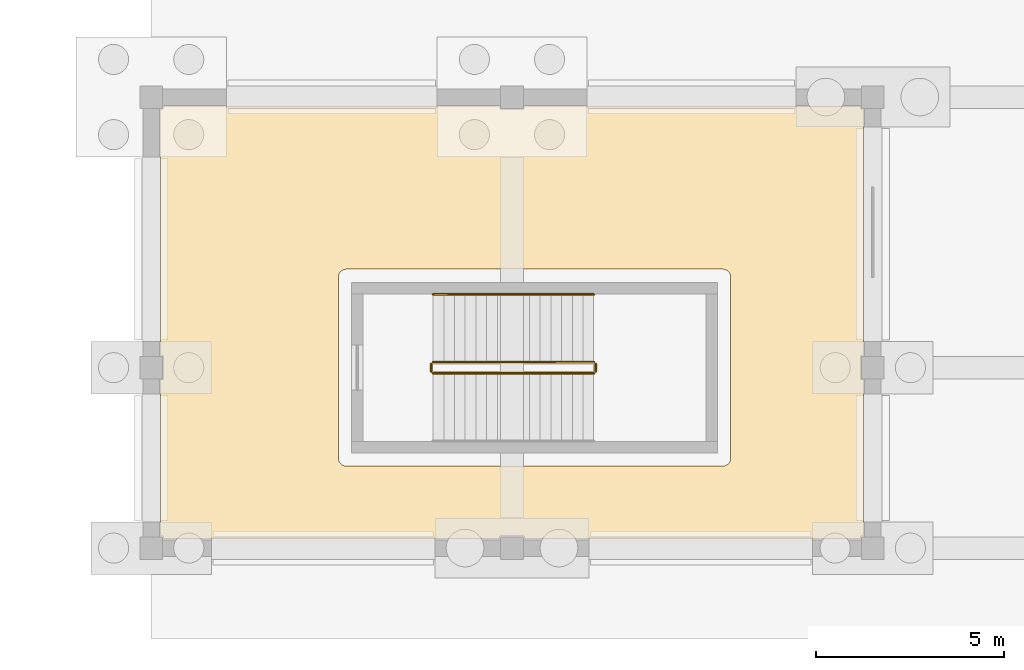
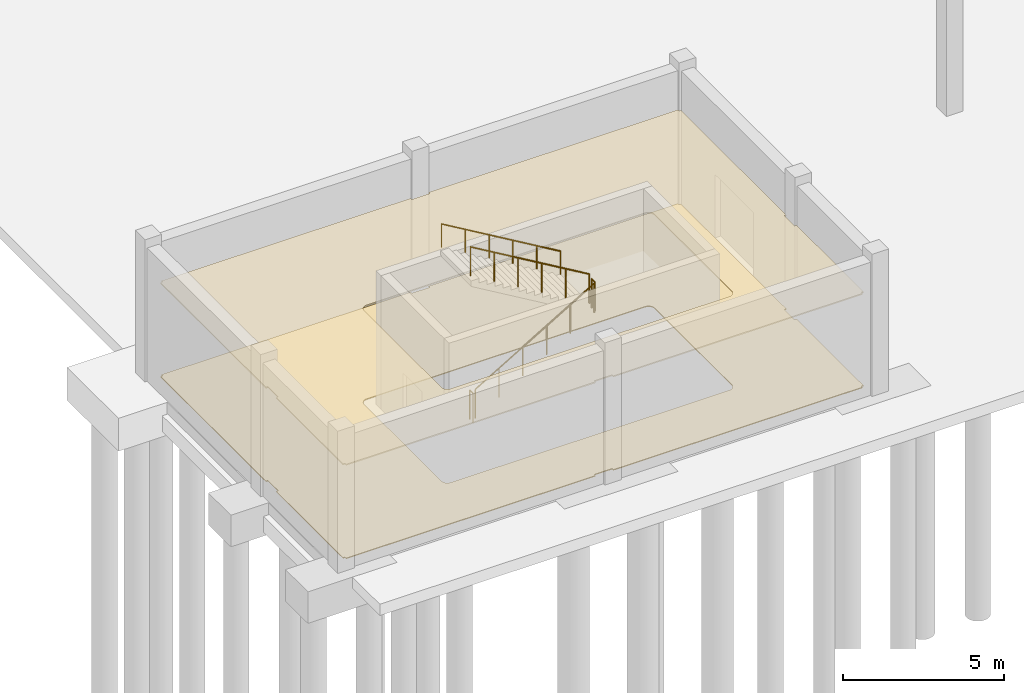
# One storey, part 34 of 41: 5 railings, 2 coverings.
"""IFC4 building model written with IfcOpenShell, lengths in metres."""

from ifc_helpers import new_model, si_unit, direction, frame, origin, origin_2d, place, context, subcontext, project, spatial, polyline, circle, outline, extrude, material, layer, layer_set, type_object, element, save


model = new_model("IFC4")

# Units and contexts
model_context = context("Model", 3, precision=1e-05, world=origin(), true_north=direction((0.0, 1.0)))
body_context = subcontext(model_context, "Body", "Model", "MODEL_VIEW")
ifc_project = project(units=[si_unit("LENGTHUNIT", "METRE"), si_unit("AREAUNIT", "SQUARE_METRE"), si_unit("VOLUMEUNIT", "CUBIC_METRE"), si_unit("PLANEANGLEUNIT", "RADIAN"), si_unit("MASSUNIT", "GRAM", prefix="KILO")], contexts=[model_context])

# Site, building, storey
site_placement = place(None, origin())
site = spatial("IfcSite", under=ifc_project, at=site_placement, CompositionType="ELEMENT")
building_placement = place(site_placement, origin())
building = spatial("IfcBuilding", under=site, at=building_placement, Name="Shalvenor Court Art Gallery", CompositionType="ELEMENT")
storey_placement = place(building_placement, frame((0.0, 0.0, -5.39990234375)))
storey = spatial("IfcBuildingStorey", under=building, at=storey_placement, Name="B01", CompositionType="ELEMENT", Elevation=-5.39990234375)

# Coverings
ifc_material_1 = material(Name="Acoustic hinoki timber slat ceiling", Category="wood")
ifc_layer_1 = layer(ifc_material_1, 0.054931640625, Name="Acoustic hinoki timber slat ceiling")
ifc_layer_set_1 = layer_set([ifc_layer_1], Name="Acoustic hinoki timber slat ceiling")
covering_type_1 = type_object("IfcCoveringType", Name="CLG-02", PredefinedType="CEILING", material=ifc_layer_set_1)
covering_1_placement = place(storey_placement, frame((0.0, 0.0, 3.5498046875)))
element("IfcCovering", 1, at=covering_1_placement, inside=storey, type_object=covering_type_1, Name="B01 Metro Concourse Threshold Hall Acoustic Ceiling", PredefinedType="CEILING", context=body_context, shape_type="SweptSolid", body=[
    extrude(outline(polyline([(57.280029296875, 57.35009765625), (57.280029296875, 57.280029296875), (57.919921875, 57.280029296875), (57.919921875, 57.35009765625), (66.8798828125, 57.35009765625), (66.8798828125, 57.280029296875), (66.949951171875, 57.280029296875), (66.949951171875, 50.719970703125), (66.8798828125, 50.719970703125), (66.8798828125, 50.080078125), (66.949951171875, 50.080078125), (66.949951171875, 45.919921875), (66.8798828125, 45.919921875), (66.8798828125, 45.85009765625), (57.919921875, 45.85009765625), (57.919921875, 45.919921875), (57.280029296875, 45.919921875), (57.280029296875, 45.85009765625), (48.320068359375, 45.85009765625), (48.320068359375, 45.919921875), (48.25, 45.919921875), (48.25, 50.080078125), (48.320068359375, 50.080078125), (48.320068359375, 50.719970703125), (48.25, 50.719970703125), (48.25, 57.280029296875), (48.320068359375, 57.280029296875), (48.320068359375, 57.35009765625), (57.280029296875, 57.35009765625)]), holes=[polyline([(53.199951171875, 47.780029296875), (63.199951171875, 47.780029296875), (63.2216796875, 47.781005859375), (63.242919921875, 47.7841796875), (63.263916015625, 47.78955078125), (63.2841796875, 47.796630859375), (63.3037109375, 47.805908203125), (63.322265625, 47.817138671875), (63.339599609375, 47.829833984375), (63.355712890625, 47.844482421875), (63.3701171875, 47.8603515625), (63.3828125, 47.877685546875), (63.39404296875, 47.896240234375), (63.4033203125, 47.915771484375), (63.410400390625, 47.93603515625), (63.415771484375, 47.95703125), (63.4189453125, 47.978515625), (63.419921875, 48.0), (63.419921875, 52.800048828125), (63.4189453125, 52.821533203125), (63.415771484375, 52.843017578125), (63.410400390625, 52.864013671875), (63.4033203125, 52.88427734375), (63.39404296875, 52.90380859375), (63.3828125, 52.922119140625), (63.3701171875, 52.939697265625), (63.355712890625, 52.95556640625), (63.339599609375, 52.97021484375), (63.322265625, 52.98291015625), (63.3037109375, 52.993896484375), (63.2841796875, 53.00341796875), (63.263916015625, 53.010498046875), (63.242919921875, 53.015869140625), (63.2216796875, 53.018798828125), (63.199951171875, 53.02001953125), (53.199951171875, 53.02001953125), (53.178466796875, 53.018798828125), (53.156982421875, 53.015869140625), (53.135986328125, 53.010498046875), (53.11572265625, 53.00341796875), (53.09619140625, 52.993896484375), (53.077880859375, 52.98291015625), (53.060302734375, 52.97021484375), (53.04443359375, 52.95556640625), (53.02978515625, 52.939697265625), (53.01708984375, 52.922119140625), (53.006103515625, 52.90380859375), (52.99658203125, 52.88427734375), (52.989501953125, 52.864013671875), (52.984130859375, 52.843017578125), (52.981201171875, 52.821533203125), (52.97998046875, 52.800048828125), (52.97998046875, 48.0), (52.981201171875, 47.978515625), (52.984130859375, 47.95703125), (52.989501953125, 47.93603515625), (52.99658203125, 47.915771484375), (53.006103515625, 47.896240234375), (53.01708984375, 47.877685546875), (53.02978515625, 47.8603515625), (53.04443359375, 47.844482421875), (53.060302734375, 47.829833984375), (53.077880859375, 47.817138671875), (53.09619140625, 47.805908203125), (53.11572265625, 47.796630859375), (53.135986328125, 47.78955078125), (53.156982421875, 47.7841796875), (53.178466796875, 47.781005859375), (53.199951171875, 47.780029296875)])]), origin(), (0.0, 0.0, 1.0), 0.045166015625),
])
ifc_material_2 = material(Name="Honed pale limestone terrazzo flooring", Category="masonry")
ifc_layer_2 = layer(ifc_material_2, 0.0400390625, Name="Honed pale limestone terrazzo flooring")
ifc_layer_set_2 = layer_set([ifc_layer_2], Name="Honed pale limestone terrazzo flooring")
covering_type_2 = type_object("IfcCoveringType", Name="FLR-01", PredefinedType="FLOORING", material=ifc_layer_set_2)
covering_2_placement = place(storey_placement, origin())
element("IfcCovering", 2, at=covering_2_placement, inside=storey, type_object=covering_type_2, Name="B01 Metro Concourse Threshold Hall Flooring", PredefinedType="FLOORING", context=body_context, shape_type="SweptSolid", body=[
    extrude(outline(polyline([(57.280029296875, 57.35009765625), (57.280029296875, 57.280029296875), (57.919921875, 57.280029296875), (57.919921875, 57.35009765625), (66.8798828125, 57.35009765625), (66.8798828125, 57.280029296875), (66.949951171875, 57.280029296875), (66.949951171875, 50.719970703125), (66.8798828125, 50.719970703125), (66.8798828125, 50.080078125), (66.949951171875, 50.080078125), (66.949951171875, 45.919921875), (66.8798828125, 45.919921875), (66.8798828125, 45.85009765625), (57.919921875, 45.85009765625), (57.919921875, 45.919921875), (57.280029296875, 45.919921875), (57.280029296875, 45.85009765625), (48.320068359375, 45.85009765625), (48.320068359375, 45.919921875), (48.25, 45.919921875), (48.25, 50.080078125), (48.320068359375, 50.080078125), (48.320068359375, 50.719970703125), (48.25, 50.719970703125), (48.25, 57.280029296875), (48.320068359375, 57.280029296875), (48.320068359375, 57.35009765625), (57.280029296875, 57.35009765625)]), holes=[polyline([(53.199951171875, 47.780029296875), (63.199951171875, 47.780029296875), (63.2216796875, 47.781005859375), (63.242919921875, 47.7841796875), (63.263916015625, 47.78955078125), (63.2841796875, 47.796630859375), (63.3037109375, 47.805908203125), (63.322265625, 47.817138671875), (63.339599609375, 47.829833984375), (63.355712890625, 47.844482421875), (63.3701171875, 47.8603515625), (63.3828125, 47.877685546875), (63.39404296875, 47.896240234375), (63.4033203125, 47.915771484375), (63.410400390625, 47.93603515625), (63.415771484375, 47.95703125), (63.4189453125, 47.978515625), (63.419921875, 48.0), (63.419921875, 52.800048828125), (63.4189453125, 52.821533203125), (63.415771484375, 52.843017578125), (63.410400390625, 52.864013671875), (63.4033203125, 52.88427734375), (63.39404296875, 52.90380859375), (63.3828125, 52.922119140625), (63.3701171875, 52.939697265625), (63.355712890625, 52.95556640625), (63.339599609375, 52.97021484375), (63.322265625, 52.98291015625), (63.3037109375, 52.993896484375), (63.2841796875, 53.00341796875), (63.263916015625, 53.010498046875), (63.242919921875, 53.015869140625), (63.2216796875, 53.018798828125), (63.199951171875, 53.02001953125), (53.199951171875, 53.02001953125), (53.178466796875, 53.018798828125), (53.156982421875, 53.015869140625), (53.135986328125, 53.010498046875), (53.11572265625, 53.00341796875), (53.09619140625, 52.993896484375), (53.077880859375, 52.98291015625), (53.060302734375, 52.97021484375), (53.04443359375, 52.95556640625), (53.02978515625, 52.939697265625), (53.01708984375, 52.922119140625), (53.006103515625, 52.90380859375), (52.99658203125, 52.88427734375), (52.989501953125, 52.864013671875), (52.984130859375, 52.843017578125), (52.981201171875, 52.821533203125), (52.97998046875, 52.800048828125), (52.97998046875, 48.0), (52.981201171875, 47.978515625), (52.984130859375, 47.95703125), (52.989501953125, 47.93603515625), (52.99658203125, 47.915771484375), (53.006103515625, 47.896240234375), (53.01708984375, 47.877685546875), (53.02978515625, 47.8603515625), (53.04443359375, 47.844482421875), (53.060302734375, 47.829833984375), (53.077880859375, 47.817138671875), (53.09619140625, 47.805908203125), (53.11572265625, 47.796630859375), (53.135986328125, 47.78955078125), (53.156982421875, 47.7841796875), (53.178466796875, 47.781005859375), (53.199951171875, 47.780029296875)])]), origin(), (0.0, 0.0, 1.0), 0.031982421875),
])

# Railings
ifc_material_3 = material(Name="Painted steel post-and-rail guard", Category="steel")
railing_type_1 = type_object("IfcRailingType", Name="GR-02", PredefinedType="GUARDRAIL", material=ifc_material_3)
railing_1_placement = place(storey_placement, frame((55.5, 50.25, 0.168701171875)))
element("IfcRailing", 3, at=railing_1_placement, inside=storey, type_object=railing_type_1, Name="B01 ST-10 Stair Guard 1", PredefinedType="GUARDRAIL", context=body_context, shape_type="SweptSolid", body=[
    extrude(circle(Radius=0.02392578125, at=origin_2d()), frame((0.0, 0.0, 1.09619140625), z_axis=(0.860470286479, 0.0, 0.509500624227), x_axis=(0.0, 1.0, 0.0)), (0.0, 0.0, 1.0), 4.968017578125),
    extrude(circle(Radius=0.02099609375, at=origin_2d()), origin(), (0.0, 0.0, 1.0), 1.072021484375),
    extrude(circle(Radius=0.02099609375, at=origin_2d()), frame((0.85498046875, 0.0, 0.50634765625)), (0.0, 0.0, 1.0), 1.072021484375),
    extrude(circle(Radius=0.02099609375, at=origin_2d()), frame((1.7099609375, 0.0, 1.012451171875)), (0.0, 0.0, 1.0), 1.072021484375),
    extrude(circle(Radius=0.02099609375, at=origin_2d()), frame((2.56494140625, 0.0, 1.518798828125)), (0.0, 0.0, 1.0), 1.072021484375),
    extrude(circle(Radius=0.02099609375, at=origin_2d()), frame((3.419921875, 0.0, 2.02490234375)), (0.0, 0.0, 1.0), 1.072021484375),
    extrude(circle(Radius=0.02099609375, at=origin_2d()), frame((4.27490234375, 0.0, 2.53125)), (0.0, 0.0, 1.0), 1.072021484375),
])
railing_2_placement = place(storey_placement, frame((59.824951171875, 50.300048828125, 2.699951171875)))
element("IfcRailing", 4, at=railing_2_placement, inside=storey, type_object=railing_type_1, Name="B01 ST-10 Stair Guard 2", PredefinedType="GUARDRAIL", context=body_context, shape_type="SweptSolid", body=[
    extrude(circle(Radius=0.02392578125, at=origin_2d()), frame((0.0, 0.0, 1.09619140625), z_axis=(0.0, 1.0, 0.0), x_axis=(-1.0, 0.0, 0.0)), (0.0, 0.0, 1.0), 0.199951171875),
    extrude(circle(Radius=0.02099609375, at=origin_2d()), origin(), (0.0, 0.0, 1.0), 1.072021484375),
    extrude(circle(Radius=0.02099609375, at=origin_2d()), frame((0.0, 0.199951171875, 0.0)), (0.0, 0.0, 1.0), 1.072021484375),
])
railing_3_placement = place(storey_placement, frame((59.77490234375, 50.550048828125, 2.86865234375)))
element("IfcRailing", 5, at=railing_3_placement, inside=storey, type_object=railing_type_1, Name="B01 ST-10 Stair Guard 3", PredefinedType="GUARDRAIL", context=body_context, shape_type="SweptSolid", body=[
    extrude(circle(Radius=0.02392578125, at=origin_2d()), frame((0.0, 0.0, 1.09619140625), z_axis=(-0.860470286479, 0.0, 0.509500624227), x_axis=(0.0, -1.0, 0.0)), (0.0, 0.0, 1.0), 4.968017578125),
    extrude(circle(Radius=0.02099609375, at=origin_2d()), origin(), (0.0, 0.0, 1.0), 1.072021484375),
    extrude(circle(Radius=0.02099609375, at=origin_2d()), frame((-0.85498046875, 0.0, 0.50634765625)), (0.0, 0.0, 1.0), 1.072021484375),
    extrude(circle(Radius=0.02099609375, at=origin_2d()), frame((-1.7099609375, 0.0, 1.012451171875)), (0.0, 0.0, 1.0), 1.072021484375),
    extrude(circle(Radius=0.02099609375, at=origin_2d()), frame((-2.56494140625, 0.0, 1.518798828125)), (0.0, 0.0, 1.0), 1.072021484375),
    extrude(circle(Radius=0.02099609375, at=origin_2d()), frame((-3.419921875, 0.0, 2.02490234375)), (0.0, 0.0, 1.0), 1.072021484375),
    extrude(circle(Radius=0.02099609375, at=origin_2d()), frame((-4.27490234375, 0.0, 2.53125)), (0.0, 0.0, 1.0), 1.072021484375),
])
railing_4_placement = place(storey_placement, frame((55.449951171875, 50.300048828125, 0.0)))
element("IfcRailing", 6, at=railing_4_placement, inside=storey, type_object=railing_type_1, Name="B01 ST-10 Stair Guard 4", PredefinedType="GUARDRAIL", context=body_context, shape_type="SweptSolid", body=[
    extrude(circle(Radius=0.02392578125, at=origin_2d()), frame((0.0, 0.0, 1.09619140625), z_axis=(0.0, 1.0, 0.0), x_axis=(-1.0, 0.0, 0.0)), (0.0, 0.0, 1.0), 0.199951171875),
    extrude(circle(Radius=0.02099609375, at=origin_2d()), origin(), (0.0, 0.0, 1.0), 1.072021484375),
    extrude(circle(Radius=0.02099609375, at=origin_2d()), frame((0.0, 0.199951171875, 0.0)), (0.0, 0.0, 1.0), 1.072021484375),
])
ifc_material_4 = material(Name="Brushed stainless steel handrail", Category="steel")
railing_type_2 = type_object("IfcRailingType", Name="HR-01", PredefinedType="HANDRAIL", material=ifc_material_4)
railing_5_placement = place(storey_placement, frame((59.77490234375, 52.35009765625, 2.86865234375)))
element("IfcRailing", 7, at=railing_5_placement, inside=storey, type_object=railing_type_2, Name="B01 ST-10 Stair Handrail 2", PredefinedType="HANDRAIL", context=body_context, shape_type="SweptSolid", body=[
    extrude(circle(Radius=0.02392578125, at=origin_2d()), frame((0.0, 0.0, 0.8759765625), z_axis=(-0.860470286479, 0.0, 0.509500624227), x_axis=(0.0, -1.0, 0.0)), (0.0, 0.0, 1.0), 4.968017578125),
    extrude(circle(Radius=0.02099609375, at=origin_2d()), origin(), (0.0, 0.0, 1.0), 0.851806640625),
    extrude(circle(Radius=0.02099609375, at=origin_2d()), frame((-0.85498046875, 0.0, 0.50634765625)), (0.0, 0.0, 1.0), 0.851806640625),
    extrude(circle(Radius=0.02099609375, at=origin_2d()), frame((-1.7099609375, 0.0, 1.012451171875)), (0.0, 0.0, 1.0), 0.851806640625),
    extrude(circle(Radius=0.02099609375, at=origin_2d()), frame((-2.56494140625, 0.0, 1.518798828125)), (0.0, 0.0, 1.0), 0.851806640625),
    extrude(circle(Radius=0.02099609375, at=origin_2d()), frame((-3.419921875, 0.0, 2.02490234375)), (0.0, 0.0, 1.0), 0.851806640625),
    extrude(circle(Radius=0.02099609375, at=origin_2d()), frame((-4.27490234375, 0.0, 2.53125)), (0.0, 0.0, 1.0), 0.851806640625),
])

save(model, "model.ifc")
